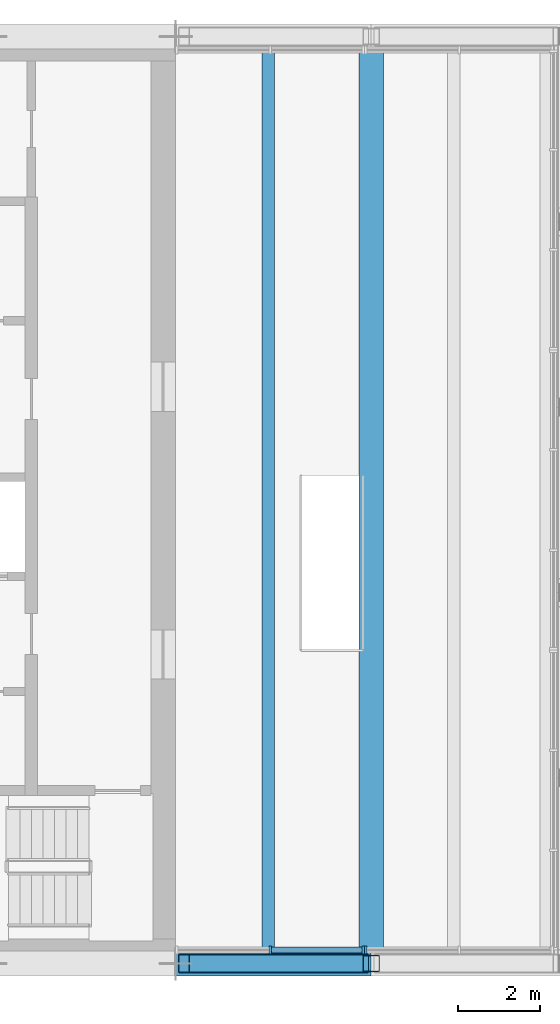
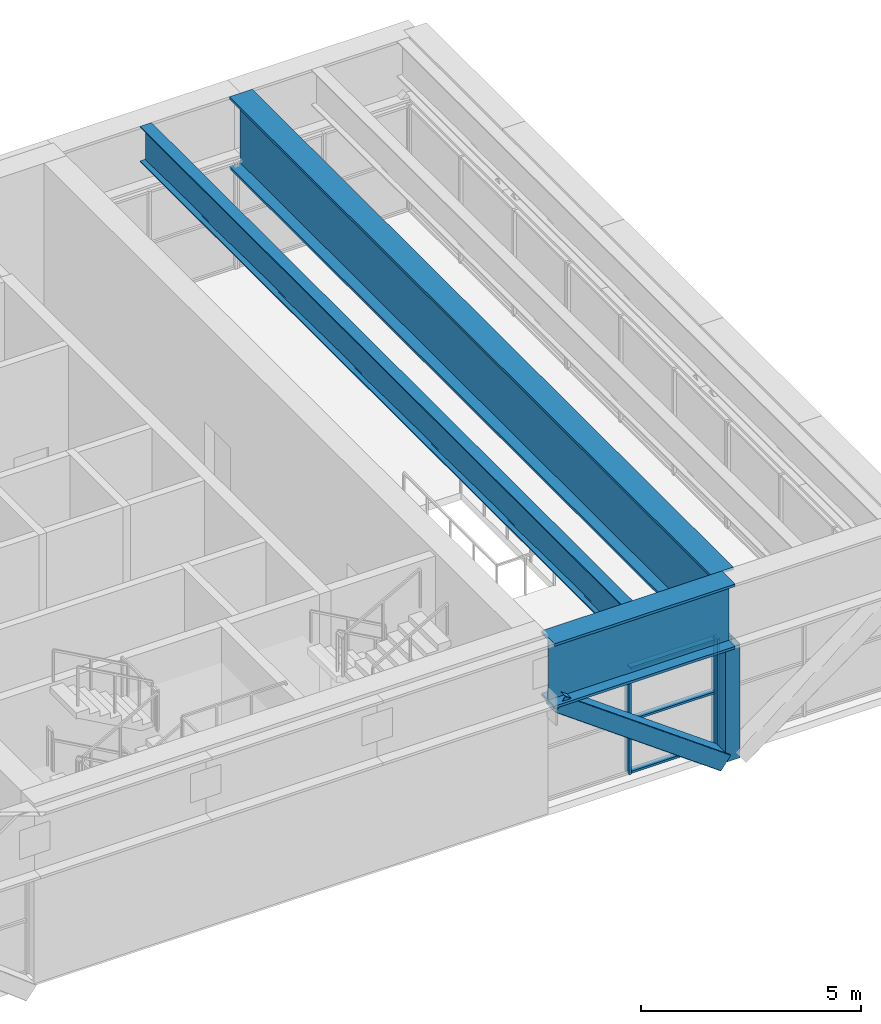
# One storey, part 3 of 12: 9 members, 2 beams, 2 elements without a shape of their own.
"""IFC4 building model written with IfcOpenShell, lengths in metres."""

from ifc_helpers import new_model, si_unit, direction, frame, origin, origin_2d, place, context, subcontext, project, spatial, rectangle, hollow_rectangle, i_section, extrude, material, material_profile, profile_set, type_object, element, aggregate, save


model = new_model("IFC4")

# Units and contexts
model_context = context("Model", 3, precision=1e-05, world=origin(), true_north=direction((0.0, 1.0)))
body_context = subcontext(model_context, "Body", "Model", "MODEL_VIEW")
ifc_project = project(units=[si_unit("LENGTHUNIT", "METRE"), si_unit("AREAUNIT", "SQUARE_METRE"), si_unit("VOLUMEUNIT", "CUBIC_METRE"), si_unit("PLANEANGLEUNIT", "RADIAN"), si_unit("MASSUNIT", "GRAM", prefix="KILO")], contexts=[model_context])

# Site, building, storey
site_placement = place(None, origin())
site = spatial("IfcSite", under=ifc_project, at=site_placement, CompositionType="ELEMENT")
building_placement = place(site_placement, origin())
building = spatial("IfcBuilding", under=site, at=building_placement, Name="Sennacour Bend Tower", CompositionType="ELEMENT")
storey_placement = place(building_placement, frame((0.0, 0.0, 350.5)))
storey = spatial("IfcBuildingStorey", under=building, at=storey_placement, Name="L80", CompositionType="ELEMENT", Elevation=350.5)

# Curtain wall, members
ifc_material_1 = material(Name="Bronze anodised aluminium curtain wall with clear glass", Category="aluminium")
curtain_wall_type = type_object("IfcCurtainWallType", Name="CURTAIN WALL LOUNGE", PredefinedType="NOTDEFINED", material=ifc_material_1)
curtain_wall_1_placement = place(storey_placement, origin())
curtain_wall_1 = element("IfcCurtainWall", 1, at=curtain_wall_1_placement, inside=storey, type_object=curtain_wall_type, Name="Sky lounge glass wall L80", PredefinedType="NOTDEFINED")
ifc_material_2 = material(Name="Aluminium 6063-T6", Category="aluminium")
ifc_material_profile_1 = material_profile(ifc_material_2, rectangle(XDim=0.199951171875, YDim=0.06005859375, at=origin_2d()), Name="Aluminium 6063-T6", Category="aluminium")
ifc_profile_set_1 = profile_set([ifc_material_profile_1], Name="Aluminium 6063-T6")
member_type_1 = type_object("IfcMemberType", Name="CW-MULLION-200X60", PredefinedType="MULLION", material=ifc_profile_set_1)
member_1_placement = place(storey_placement, frame((69.79443359375, 0.324951171875, 0.0), z_axis=(0.0, 0.0, 1.0), x_axis=(0.0, 1.0, 0.0)))
member_1 = element("IfcMember", 2, at=member_1_placement, type_object=member_type_1, Name="GW4 curtain wall mullion 2", PredefinedType="MULLION", context=body_context, shape_type="SweptSolid", body=[
    extrude(rectangle(XDim=0.199951171875, YDim=0.06005859375, at=origin_2d()), origin(), (0.0, 0.0, 1.0), 2.9501953125),
])
member_2_placement = place(storey_placement, frame((72.05810546875, 0.324951171875, 0.0), z_axis=(0.0, 0.0, 1.0), x_axis=(0.0, 1.0, 0.0)))
member_2 = element("IfcMember", 3, at=member_2_placement, type_object=member_type_1, Name="GW4 curtain wall mullion 3", PredefinedType="MULLION", context=body_context, shape_type="SweptSolid", body=[
    extrude(rectangle(XDim=0.199951171875, YDim=0.06005859375, at=origin_2d()), origin(), (0.0, 0.0, 1.0), 2.9501953125),
])

# Curtain wall, member
curtain_wall_2_placement = place(storey_placement, origin())
curtain_wall_2 = element("IfcCurtainWall", 4, at=curtain_wall_2_placement, inside=storey, type_object=curtain_wall_type, Name="Sky lounge glass wall L80", PredefinedType="NOTDEFINED")
member_3_placement = place(storey_placement, frame((72.117919921875, 0.324951171875, 0.0), z_axis=(0.0, 0.0, 1.0), x_axis=(0.0, 1.0, 0.0)))
member_3 = element("IfcMember", 5, at=member_3_placement, type_object=member_type_1, Name="GW4 curtain wall mullion 1", PredefinedType="MULLION", context=body_context, shape_type="SweptSolid", body=[
    extrude(rectangle(XDim=0.199951171875, YDim=0.06005859375, at=origin_2d()), origin(), (0.0, 0.0, 1.0), 2.9501953125),
])
aggregate(curtain_wall_2, [member_3])

# Member
ifc_material_profile_2 = material_profile(ifc_material_2, rectangle(XDim=0.14990234375, YDim=0.06005859375, at=origin_2d()), Name="Aluminium 6063-T6", Category="aluminium")
ifc_profile_set_2 = profile_set([ifc_material_profile_2], Name="Aluminium 6063-T6")
member_type_2 = type_object("IfcMemberType", Name="CW-TRANSOM-150X60", PredefinedType="USERDEFINED", material=ifc_profile_set_2)
member_4_placement = place(storey_placement, frame((69.824462890625, 0.324951171875, 0.030029296875), z_axis=(1.0, 0.0, 0.0), x_axis=(0.0, 1.0, 0.0)))
member_4 = element("IfcMember", 6, at=member_4_placement, type_object=member_type_2, Name="GW4 curtain wall transom 2.1", ObjectType="TRANSOM", PredefinedType="USERDEFINED", context=body_context, shape_type="SweptSolid", body=[
    extrude(rectangle(XDim=0.14990234375, YDim=0.06005859375, at=origin_2d()), origin(), (0.0, 0.0, 1.0), 2.20361328125),
])

member_5_placement = place(storey_placement, frame((69.824462890625, 0.324951171875, 1.47509765625), z_axis=(1.0, 0.0, 0.0), x_axis=(0.0, 1.0, 0.0)))
member_5 = element("IfcMember", 7, at=member_5_placement, type_object=member_type_2, Name="GW4 curtain wall transom 2.2", ObjectType="TRANSOM", PredefinedType="USERDEFINED", context=body_context, shape_type="SweptSolid", body=[
    extrude(rectangle(XDim=0.14990234375, YDim=0.06005859375, at=origin_2d()), origin(), (0.0, 0.0, 1.0), 2.20361328125),
])

member_6_placement = place(storey_placement, frame((69.824462890625, 0.324951171875, 2.920166015625), z_axis=(1.0, 0.0, 0.0), x_axis=(0.0, 1.0, 0.0)))
member_6 = element("IfcMember", 8, at=member_6_placement, type_object=member_type_2, Name="GW4 curtain wall transom 2.3", ObjectType="TRANSOM", PredefinedType="USERDEFINED", context=body_context, shape_type="SweptSolid", body=[
    extrude(rectangle(XDim=0.14990234375, YDim=0.06005859375, at=origin_2d()), origin(), (0.0, 0.0, 1.0), 2.20361328125),
])

aggregate(curtain_wall_1, [member_1, member_2, member_4, member_5, member_6])

# Beams
ifc_material_3 = material(Name="Steel ASTM A992 Grade 50", Category="steel")
ifc_material_profile_3 = material_profile(ifc_material_3, i_section(OverallWidth=0.300048828125, OverallDepth=0.990966796875, WebThickness=0.0166015625, FlangeThickness=0.030517578125, FilletRadius=0.030029296875, at=origin_2d()), Name="Steel ASTM A992 Grade 50", Category="steel")
ifc_profile_set_3 = profile_set([ifc_material_profile_3], Name="Steel ASTM A992 Grade 50")
beam_type_1 = type_object("IfcBeamType", Name="Floor beam W1000X272", PredefinedType="BEAM", material=ifc_profile_set_3)
beam_1_placement = place(storey_placement, frame((69.75, 0.300048828125, 4.25439453125), z_axis=(0.0, 1.0, 0.0), x_axis=(-1.0, 0.0, 0.0)))
element("IfcBeam", 9, at=beam_1_placement, inside=storey, type_object=beam_type_1, Name="Floor beam FBM3 RF-006", PredefinedType="BEAM", context=body_context, shape_type="SweptSolid", body=[
    extrude(i_section(OverallWidth=0.300048828125, OverallDepth=0.990966796875, WebThickness=0.0166015625, FlangeThickness=0.030517578125, FilletRadius=0.030029296875, at=origin_2d()), origin(), (0.0, 0.0, 1.0), 21.89990234375),
])
ifc_material_4 = material(Name="Steel ASTM A572 Grade 50", Category="steel")
ifc_material_profile_4 = material_profile(ifc_material_4, i_section(OverallWidth=0.60009765625, OverallDepth=2.0, WebThickness=0.0400390625, FlangeThickness=0.070068359375, at=origin_2d()), Name="Steel ASTM A572 Grade 50", Category="steel")
ifc_profile_set_4 = profile_set([ifc_material_profile_4], Name="Steel ASTM A572 Grade 50")
beam_type_2 = type_object("IfcBeamType", Name="Lounge crown girder 2000", PredefinedType="USERDEFINED", material=ifc_profile_set_4)
beam_2_placement = place(storey_placement, frame((72.25, 0.300048828125, 3.75), z_axis=(0.0, 1.0, 0.0), x_axis=(-1.0, 0.0, 0.0)))
element("IfcBeam", 10, at=beam_2_placement, inside=storey, type_object=beam_type_2, Name="Lounge crown girder RG1 RF-001", ObjectType="TRANSFER GIRDER", PredefinedType="USERDEFINED", context=body_context, shape_type="SweptSolid", body=[
    extrude(i_section(OverallWidth=0.60009765625, OverallDepth=2.0, WebThickness=0.0400390625, FlangeThickness=0.070068359375, at=origin_2d()), origin(), (0.0, 0.0, 1.0), 21.89990234375),
])

# Members
ifc_material_5 = material(Name="Steel ASTM A500 Grade C", Category="steel")
ifc_material_profile_5 = material_profile(ifc_material_5, hollow_rectangle(XDim=0.457275390625, YDim=0.457275390625, WallThickness=0.015869140625, InnerFilletRadius=0.015869140625, OuterFilletRadius=0.03173828125, at=origin_2d()), Name="Steel ASTM A500 Grade C", Category="steel")
ifc_profile_set_5 = profile_set([ifc_material_profile_5], Name="Steel ASTM A500 Grade C")
member_type_3 = type_object("IfcMemberType", Name="Lounge truss diagonal 457", PredefinedType="BRACE", material=ifc_profile_set_5)
member_7_placement = place(storey_placement, frame((67.703125, 0.0, 2.949951171875), z_axis=(0.809549895648, 0.0, -0.587051076531), x_axis=(0.0, 1.0, 0.0)))
element("IfcMember", 11, at=member_7_placement, inside=storey, type_object=member_type_3, Name="Lounge truss diagonal LD L80-004", PredefinedType="BRACE", context=body_context, shape_type="SweptSolid", body=[
    extrude(hollow_rectangle(XDim=0.457275390625, YDim=0.457275390625, WallThickness=0.015869140625, InnerFilletRadius=0.015869140625, OuterFilletRadius=0.03173828125, at=origin_2d()), origin(), (0.0, 0.0, 1.0), 5.36572265625),
])
ifc_material_profile_6 = material_profile(ifc_material_5, hollow_rectangle(XDim=0.406494140625, YDim=0.406494140625, WallThickness=0.01904296875, InnerFilletRadius=0.01904296875, OuterFilletRadius=0.0380859375, at=origin_2d()), Name="Steel ASTM A500 Grade C", Category="steel")
ifc_profile_set_6 = profile_set([ifc_material_profile_6], Name="Steel ASTM A500 Grade C")
member_type_4 = type_object("IfcMemberType", Name="Lounge truss post 406", PredefinedType="POST", material=ifc_profile_set_6)
member_8_placement = place(storey_placement, frame((72.25, 0.0, -0.199951171875), z_axis=(0.0, 0.0, 1.0), x_axis=(1.0, 0.0, 0.0)))
element("IfcMember", 12, at=member_8_placement, inside=storey, type_object=member_type_4, Name="Lounge truss post LP L80-004", PredefinedType="POST", context=body_context, shape_type="SweptSolid", body=[
    extrude(hollow_rectangle(XDim=0.406494140625, YDim=0.406494140625, WallThickness=0.01904296875, InnerFilletRadius=0.01904296875, OuterFilletRadius=0.0380859375, at=origin_2d()), origin(), (0.0, 0.0, 1.0), 3.14990234375),
])
ifc_material_profile_7 = material_profile(ifc_material_4, i_section(OverallWidth=0.60009765625, OverallDepth=1.800048828125, WebThickness=0.0400390625, FlangeThickness=0.070068359375, at=origin_2d()), Name="Steel ASTM A572 Grade 50", Category="steel")
ifc_profile_set_7 = profile_set([ifc_material_profile_7], Name="Steel ASTM A572 Grade 50")
member_type_5 = type_object("IfcMemberType", Name="Lounge truss roof chord 1800", PredefinedType="CHORD", material=ifc_profile_set_7)
member_9_placement = place(storey_placement, frame((67.5, 0.0, 3.85009765625), z_axis=(1.0, 0.0, 0.0), x_axis=(0.0, 1.0, 0.0)))
element("IfcMember", 13, at=member_9_placement, inside=storey, type_object=member_type_5, Name="Lounge truss chord LR RF-007", PredefinedType="CHORD", context=body_context, shape_type="SweptSolid", body=[
    extrude(i_section(OverallWidth=0.60009765625, OverallDepth=1.800048828125, WebThickness=0.0400390625, FlangeThickness=0.070068359375, at=origin_2d()), origin(), (0.0, 0.0, 1.0), 4.75),
])

save(model, "model.ifc")
